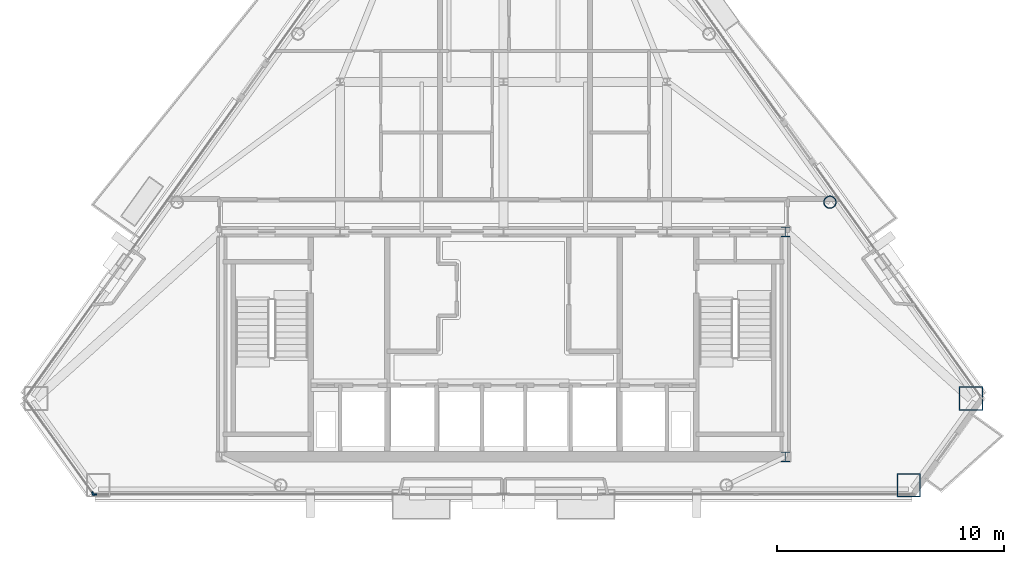
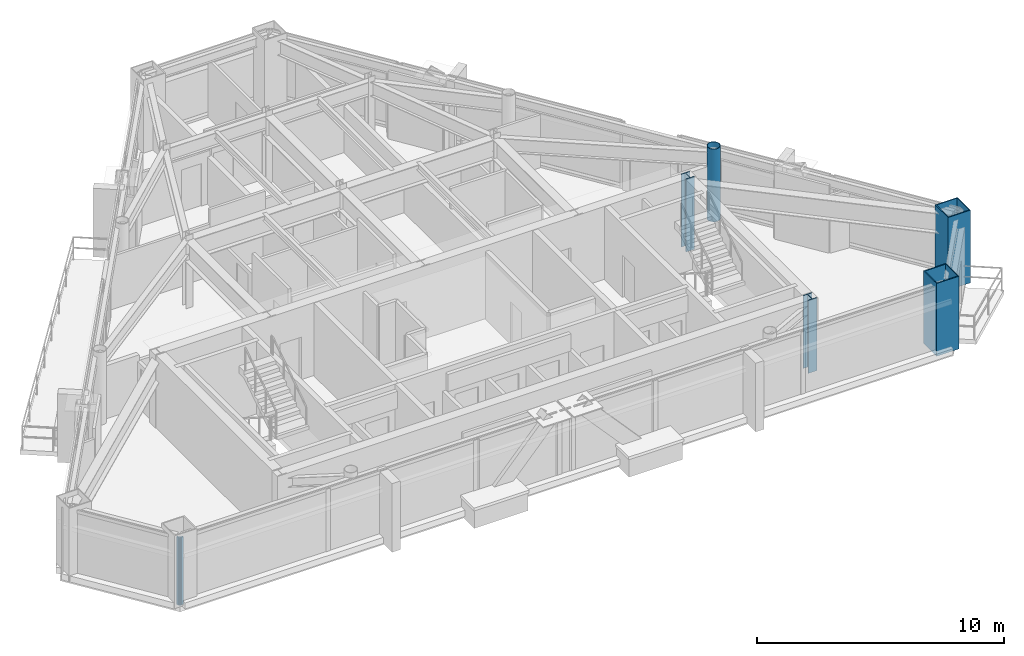
# One storey, part 2 of 12: 5 columns, 2 members, 2 elements without a shape of their own.
"""IFC4 building model written with IfcOpenShell, lengths in metres."""

import ifcopenshell
import ifcopenshell.guid

model = None  # the IFC model being written
_history = None  # IfcOwnerHistory: only IFC2X3 demands one
_inside = {}  # id of a spatial element -> (the spatial element, [elements in it])
_under = {}  # id of a project, library or spatial element -> (it, [spatial elements below it])
_declared = {}  # id of a project -> (the project, [libraries it declares])
_typed = {}  # id of a type object -> (the type object, [elements of that type])
_made_of = {}  # id of a material, layer set ... -> (it, [elements and type objects made of it])


def new_model(schema):
    """Start an empty IFC model of exactly this schema.

    Asked for "IFC4X3", IfcOpenShell would pick the latest addendum, in which some entities
    have other attributes; the version numbers below select the first issue.
    IFC2X3 requires an IfcOwnerHistory on every rooted entity: one is made here for all.
    """
    global model, _history
    if schema == "IFC4X3":
        model = ifcopenshell.file(schema_version=(4, 3, 0, 0))
    else:
        model = ifcopenshell.file(schema=schema)
    _inside.clear()
    _under.clear()
    _declared.clear()
    _typed.clear()
    _made_of.clear()
    _history = None
    if model.schema == "IFC2X3":
        org = make("IfcOrganization", Name="unknown")
        user = make(
            "IfcPersonAndOrganization",
            ThePerson=make("IfcPerson", FamilyName="unknown"),
            TheOrganization=org,
        )
        app = make(
            "IfcApplication",
            ApplicationDeveloper=org,
            Version="unknown",
            ApplicationFullName="unknown",
            ApplicationIdentifier="unknown",
        )
        _history = make(
            "IfcOwnerHistory",
            OwningUser=user,
            OwningApplication=app,
            ChangeAction="ADDED",
            CreationDate=0,
        )
    return model


def make(cls, **values):
    """One entity of the class cls with the attributes given. An attribute that is None is left unset."""
    return model.create_entity(
        cls, **{name: value for name, value in values.items() if value is not None}
    )


def rooted(cls, **values):
    """An entity with a GlobalId (a new one), such as an element, a storey or a relation."""
    return make(cls, GlobalId=ifcopenshell.guid.new(), OwnerHistory=_history, **values)


def si_unit(unit_type, name, prefix=None):
    """IfcSIUnit, for example si_unit("LENGTHUNIT", "METRE", prefix="MILLI")."""
    return make("IfcSIUnit", UnitType=unit_type, Prefix=prefix, Name=name)


def assignment(units):
    """IfcUnitAssignment: the units of a project."""
    return None if units is None else make("IfcUnitAssignment", Units=units)


def point(xyz):
    """IfcCartesianPoint."""
    return None if xyz is None else make("IfcCartesianPoint", Coordinates=xyz)


def direction(xyz):
    """IfcDirection."""
    return None if xyz is None else make("IfcDirection", DirectionRatios=xyz)


def frame(location, z_axis=None, x_axis=None):
    """IfcAxis2Placement3D, a coordinate frame: its origin and axes. An axis left out is left unset."""
    return make(
        "IfcAxis2Placement3D",
        Location=point(location),
        Axis=direction(z_axis),
        RefDirection=direction(x_axis),
    )


def frame_2d(location, x_axis=None):
    """IfcAxis2Placement2D, a coordinate frame in the plane: its origin and x axis."""
    return make(
        "IfcAxis2Placement2D", Location=point(location), RefDirection=direction(x_axis)
    )


def origin():
    """The frame at (0, 0, 0) with its axes left unset."""
    return frame((0.0, 0.0, 0.0))


def origin_2d():
    """The frame at (0, 0) in the plane with its x axis left unset."""
    return frame_2d((0.0, 0.0))


def place(relative_to, where):
    """IfcLocalPlacement: puts the frame where relative to a parent placement (None: the world)."""
    return make(
        "IfcLocalPlacement", PlacementRelTo=relative_to, RelativePlacement=where
    )


def context(
    kind, dimensions, precision=None, world=None, true_north=None, identifier=None
):
    """IfcGeometricRepresentationContext, for example the 3D "Model" context."""
    return make(
        "IfcGeometricRepresentationContext",
        ContextIdentifier=identifier,
        ContextType=kind,
        CoordinateSpaceDimension=dimensions,
        Precision=precision,
        WorldCoordinateSystem=world,
        TrueNorth=true_north,
    )


def subcontext(parent, identifier, kind, view, scale=None):
    """IfcGeometricRepresentationSubContext, for example "Body" below "Model"."""
    return make(
        "IfcGeometricRepresentationSubContext",
        ContextIdentifier=identifier,
        ContextType=kind,
        ParentContext=parent,
        TargetScale=scale,
        TargetView=view,
    )


def project(units=None, contexts=None):
    """IfcProject with its units and contexts."""
    return rooted(
        "IfcProject",
        Name="project",
        RepresentationContexts=contexts,
        UnitsInContext=assignment(units),
    )


def spatial(cls, under=None, at=None, **own):
    """A site, building, storey or space (cls), placed at a placement, below another one or the project."""
    s = rooted(cls, ObjectPlacement=at, **own)
    if under is not None:
        _under.setdefault(under.id(), (under, []))[1].append(s)
    return s


def profile(cls, at=None, kind="AREA", **sizes):
    """A parametric profile (cls). Its sizes go by their IFC names, for example OverallWidth=200.0."""
    return make(cls, ProfileType=kind, Position=at, **sizes)


def rectangle(**sizes):
    """IfcRectangleProfileDef."""
    return profile("IfcRectangleProfileDef", **sizes)


def hollow_rectangle(**sizes):
    """IfcRectangleHollowProfileDef."""
    return profile("IfcRectangleHollowProfileDef", **sizes)


def hollow_circle(**sizes):
    """IfcCircleHollowProfileDef."""
    return profile("IfcCircleHollowProfileDef", **sizes)


def i_section(**sizes):
    """IfcIShapeProfileDef."""
    return profile("IfcIShapeProfileDef", **sizes)


def extrude(swept, where, along, depth):
    """IfcExtrudedAreaSolid: the profile swept, set in the frame where, extruded along a direction by depth."""
    return make(
        "IfcExtrudedAreaSolid",
        SweptArea=swept,
        Position=where,
        ExtrudedDirection=direction(along),
        Depth=depth,
    )


def shape(context_of_items, identifier, shape_type, items):
    """IfcShapeRepresentation: the items that make up one representation, for example the "Body"."""
    return make(
        "IfcShapeRepresentation",
        ContextOfItems=context_of_items,
        RepresentationIdentifier=identifier,
        RepresentationType=shape_type,
        Items=items,
    )


def material(Name=None, Category=None):
    """IfcMaterial."""
    return make("IfcMaterial", Name=Name, Category=Category)


def layer(
    of_material, thickness, ventilated=None, Name=None, Category=None, Priority=None
):
    """IfcMaterialLayer: one layer of a wall or slab, of a material (None: an air gap)."""
    return make(
        "IfcMaterialLayer",
        Material=of_material,
        LayerThickness=thickness,
        IsVentilated=ventilated,
        Name=Name,
        Category=Category,
        Priority=Priority,
    )


def layer_set(layers, Name=None):
    """IfcMaterialLayerSet."""
    return make("IfcMaterialLayerSet", MaterialLayers=layers, LayerSetName=Name)


def material_profile(
    of_material, cross_section, Name=None, Category=None, Priority=None
):
    """IfcMaterialProfile: a cross section and its material."""
    return make(
        "IfcMaterialProfile",
        Name=Name,
        Material=of_material,
        Profile=cross_section,
        Priority=Priority,
        Category=Category,
    )


def profile_set(profiles, Name=None, composite=None):
    """IfcMaterialProfileSet."""
    return make(
        "IfcMaterialProfileSet",
        Name=Name,
        MaterialProfiles=profiles,
        CompositeProfile=composite,
    )


def made_of(thing, what):
    """Note that an element or type object is made of a material, layer set ...; save() writes the relation."""
    if what is not None:
        _made_of.setdefault(what.id(), (what, []))[1].append(thing)
    return thing


def type_object(cls, material=None, **own):
    """A type object (cls), such as IfcWallType, which elements share."""
    return made_of(rooted(cls, **own), material)


def element(
    cls,
    number,
    at=None,
    inside=None,
    cuts=None,
    type_object=None,
    material=None,
    context=None,
    identifier="Body",
    shape_type=None,
    held_by="IfcProductDefinitionShape",
    body=None,
    shapes=None,
    **own,
):
    """One element of the class cls, such as IfcWall. Its Tag is "e" and its number.

    at: its placement. inside: the storey or other place that contains it. cuts: it is an
    opening in that element (IfcRelVoidsElement). A single representation is given by context,
    identifier, shape_type and body (its items); several are given by shapes. held_by: the class
    of the entity that holds the representations. save() writes the other relations.
    """
    e = rooted(cls, Tag="e%d" % number, ObjectPlacement=at, **own)
    if body is not None:
        shapes = [shape(context, identifier, shape_type, body)]
    if shapes is not None:
        e.Representation = make(held_by, Representations=shapes)
    if inside is not None:
        _inside.setdefault(inside.id(), (inside, []))[1].append(e)
    if cuts is not None:
        rooted(
            "IfcRelVoidsElement", RelatingBuildingElement=cuts, RelatedOpeningElement=e
        )
    if type_object is not None:
        _typed.setdefault(type_object.id(), (type_object, []))[1].append(e)
    return made_of(e, material)


def aggregate(whole, parts):
    """IfcRelAggregates: a whole, such as a stair, and the parts it consists of."""
    return rooted("IfcRelAggregates", RelatingObject=whole, RelatedObjects=parts)


def save(model, path):
    """Write the relations noted so far, then the file.

    IfcRelAggregates (storeys below a building ...), IfcRelContainedInSpatialStructure (elements
    in a storey), IfcRelDefinesByType, IfcRelAssociatesMaterial and IfcRelDeclares: one each for
    every whole, place, type object, material and project.
    """
    for whole, parts in _under.values():
        aggregate(whole, parts)
    for where, things in _inside.values():
        rooted(
            "IfcRelContainedInSpatialStructure",
            RelatedElements=things,
            RelatingStructure=where,
        )
    for kind, things in _typed.values():
        rooted("IfcRelDefinesByType", RelatedObjects=things, RelatingType=kind)
    for what, things in _made_of.values():
        rooted("IfcRelAssociatesMaterial", RelatedObjects=things, RelatingMaterial=what)
    for by, libraries in _declared.values():
        rooted("IfcRelDeclares", RelatingContext=by, RelatedDefinitions=libraries)
    model.write(path)


model = new_model("IFC4")

# Units and contexts
model_context = context("Model", 3, precision=1e-05, world=origin(), true_north=direction((0.0, 1.0)))
body_context = subcontext(model_context, "Body", "Model", "MODEL_VIEW")
ifc_project = project(units=[si_unit("LENGTHUNIT", "METRE"), si_unit("AREAUNIT", "SQUARE_METRE"), si_unit("VOLUMEUNIT", "CUBIC_METRE"), si_unit("PLANEANGLEUNIT", "RADIAN"), si_unit("MASSUNIT", "GRAM", prefix="KILO")], contexts=[model_context])

# Site, building, storey
site_placement = place(None, origin())
site = spatial("IfcSite", under=ifc_project, at=site_placement, CompositionType="ELEMENT")
building_placement = place(site_placement, origin())
building = spatial("IfcBuilding", under=site, at=building_placement, Name="Talgorran Terracotta Tower", CompositionType="ELEMENT")
storey_placement = place(building_placement, frame((0.0, 0.0, 221.699951171875)))
storey = spatial("IfcBuildingStorey", under=building, at=storey_placement, Name="L58", CompositionType="ELEMENT", Elevation=221.699951171875)

# Columns
ifc_material_1 = material(Name="Steel S355 (300PLUS)", Category="steel")
ifc_material_profile_1 = material_profile(ifc_material_1, i_section(OverallWidth=0.39990234375, OverallDepth=0.43994140625, WebThickness=0.028076171875, FlangeThickness=0.0400390625, at=origin_2d()), Name="400WC328")
ifc_profile_set_1 = profile_set([ifc_material_profile_1], Name="Steel S355 (300PLUS)")
column_type_1 = type_object("IfcColumnType", Name="COL_400WC328", PredefinedType="COLUMN", material=ifc_profile_set_1)
for number, where, z_axis, x_axis, name in (
    (1, (12.39990234375, -14.10009765625, 0.0), (0.0, 0.0, 1.0), (1.0, 0.0, 0.0), "L58 Core Boundary Column CC2"),
    (2, (12.39990234375, -4.199951171875, 0.0), (0.0, 0.0, 1.0), (1.0, 0.0, 0.0), "L58 Core Boundary Column CC3"),
):
    element("IfcColumn", number, at=place(storey_placement, frame(where, z_axis=z_axis, x_axis=x_axis)), inside=storey, type_object=column_type_1, Name=name, PredefinedType="COLUMN", context=body_context, shape_type="SweptSolid", body=[
        extrude(i_section(OverallWidth=0.39990234375, OverallDepth=0.43994140625, WebThickness=0.028076171875, FlangeThickness=0.0400390625, at=origin_2d()), origin(), (0.0, 0.0, 1.0), 3.60009765625),
    ])
ifc_material_2 = material(Name="Steel Grade 350 (350L0)", Category="steel")
ifc_material_profile_2 = material_profile(ifc_material_2, hollow_rectangle(XDim=1.050048828125, YDim=1.050048828125, WallThickness=0.044921875, at=origin_2d()), Name="CFT1050X1050X45")
ifc_profile_set_2 = profile_set([ifc_material_profile_2], Name="Steel Grade 350 (350L0)")
column_type_2 = type_object("IfcColumnType", Name="COL_CFT_1050", PredefinedType="COLUMN", material=ifc_profile_set_2)
for number, where, z_axis, x_axis, name in (
    (3, (17.830078125, -15.352294921875, 0.0), (0.0, 0.0, 1.0), (1.0, 0.0, 0.0), "L58 Corner CFT Mega-Column MC3"),
    (4, (20.566650390625, -11.53955078125, 0.0), (0.0, 0.0, 1.0), (1.0, 0.0, 0.0), "L58 Corner CFT Mega-Column MC4"),
):
    element("IfcColumn", number, at=place(storey_placement, frame(where, z_axis=z_axis, x_axis=x_axis)), inside=storey, type_object=column_type_2, Name=name, PredefinedType="COLUMN", context=body_context, shape_type="SweptSolid", body=[
        extrude(hollow_rectangle(XDim=1.050048828125, YDim=1.050048828125, WallThickness=0.044921875, at=origin_2d()), origin(), (0.0, 0.0, 1.0), 3.60009765625),
    ])
ifc_material_profile_3 = material_profile(ifc_material_2, hollow_circle(Radius=0.27490234375, WallThickness=0.02392578125, at=origin_2d()), Name="CHS550X24")
ifc_profile_set_3 = profile_set([ifc_material_profile_3], Name="Steel Grade 350 (350L0)")
column_type_3 = type_object("IfcColumnType", Name="COL_CHS_550", PredefinedType="COLUMN", material=ifc_profile_set_3)
column_placement = place(storey_placement, frame((14.36328125, -2.897216796875, 0.0), z_axis=(0.0, 0.0, 1.0), x_axis=(1.0, 0.0, 0.0)))
element("IfcColumn", 5, at=column_placement, inside=storey, type_object=column_type_3, Name="L58 Facet Perimeter Column FC3", PredefinedType="COLUMN", context=body_context, shape_type="SweptSolid", body=[
    extrude(hollow_circle(Radius=0.27490234375, WallThickness=0.02392578125, at=origin_2d()), origin(), (0.0, 0.0, 1.0), 3.60009765625),
])

# Curtain wall, member
ifc_material_3 = material(Name="High-Wind Unitised Glazing", Category="glass")
ifc_layer = layer(ifc_material_3, 0.2099609375, Name="CW_SYS3_RES_HIGH")
ifc_layer_set = layer_set([ifc_layer], Name="High-Wind Unitised Glazing")
curtain_wall_type = type_object("IfcCurtainWallType", Name="CW_SYS3_RES_HIGH", PredefinedType="NOTDEFINED", material=ifc_layer_set)
curtain_wall_1_placement = place(storey_placement, origin())
curtain_wall_1 = element("IfcCurtainWall", 6, at=curtain_wall_1_placement, inside=storey, type_object=curtain_wall_type, Name="CW-L58-F0", PredefinedType="NOTDEFINED")
ifc_material_4 = material(Name="Architectural Aluminium 6063-T6", Category="aluminium")
ifc_material_profile_4 = material_profile(ifc_material_4, rectangle(XDim=0.070068359375, YDim=0.199951171875, at=origin_2d()), Name="CWM70X200")
ifc_profile_set_4 = profile_set([ifc_material_profile_4], Name="Architectural Aluminium 6063-T6")
member_type = type_object("IfcMemberType", Name="MUL_70X200", PredefinedType="MULLION", material=ifc_profile_set_4)
member_1_placement = place(storey_placement, frame((-18.055908203125, -15.723876953125, 0.0), z_axis=(0.0, 0.0, 1.0), x_axis=(0.812390492916, 0.583113785654, 0.0)))
member_1 = element("IfcMember", 7, at=member_1_placement, type_object=member_type, Name="CW-L58-0 mullion 2", PredefinedType="MULLION", context=body_context, shape_type="SweptSolid", body=[
    extrude(rectangle(XDim=0.070068359375, YDim=0.199951171875, at=origin_2d()), origin(), (0.0, 0.0, 1.0), 3.344970703125),
])
aggregate(curtain_wall_1, [member_1])

curtain_wall_2_placement = place(storey_placement, origin())
curtain_wall_2 = element("IfcCurtainWall", 8, at=curtain_wall_2_placement, inside=storey, type_object=curtain_wall_type, Name="CW-L58-F1", PredefinedType="NOTDEFINED")
member_2_placement = place(storey_placement, frame((-18.00048828125, -15.752197265625, 0.0), z_axis=(0.0, 0.0, 1.0), x_axis=(0.0, 1.0, 0.0)))
member_2 = element("IfcMember", 9, at=member_2_placement, type_object=member_type, Name="CW-L58-1 mullion 1", PredefinedType="MULLION", context=body_context, shape_type="SweptSolid", body=[
    extrude(rectangle(XDim=0.070068359375, YDim=0.199951171875, at=origin_2d()), origin(), (0.0, 0.0, 1.0), 3.344970703125),
])
aggregate(curtain_wall_2, [member_2])

save(model, "model.ifc")
